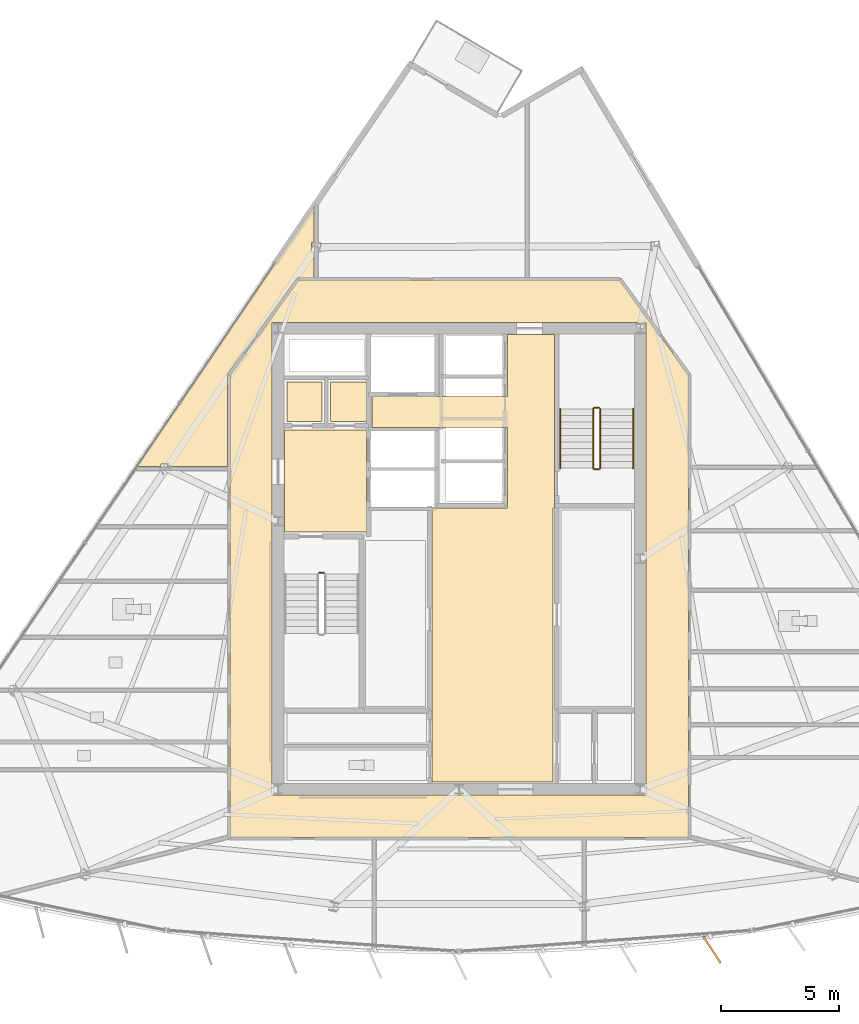
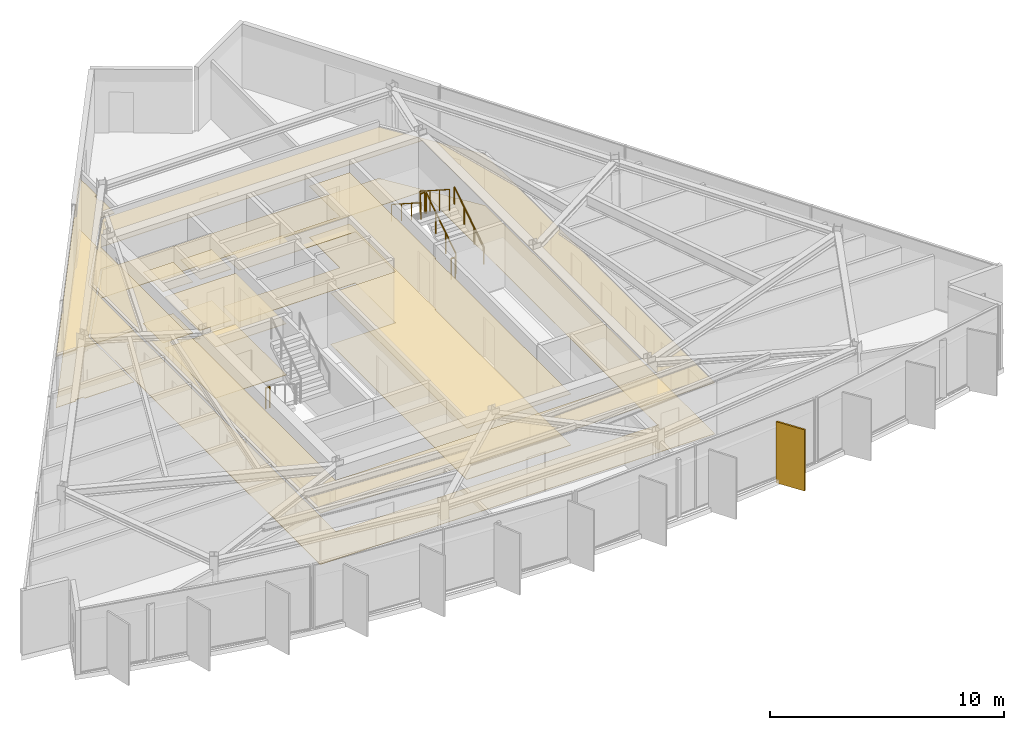
# One storey, part 11 of 13: 12 coverings, 7 railings, 1 shading device.
"""IFC4 building model written with IfcOpenShell, lengths in metres."""

from ifc_helpers import new_model, si_unit, direction, frame, origin, origin_2d, place, context, subcontext, project, spatial, polyline, rectangle, circle, outline, extrude, material, layer, layer_set, type_object, element, save


model = new_model("IFC4")

# Units and contexts
model_context = context("Model", 3, precision=1e-05, world=origin(), true_north=direction((0.0, 1.0)))
body_context = subcontext(model_context, "Body", "Model", "MODEL_VIEW")
ifc_project = project(units=[si_unit("LENGTHUNIT", "METRE"), si_unit("AREAUNIT", "SQUARE_METRE"), si_unit("VOLUMEUNIT", "CUBIC_METRE"), si_unit("PLANEANGLEUNIT", "RADIAN"), si_unit("MASSUNIT", "GRAM", prefix="KILO")], contexts=[model_context])

# Site, building, storey
site_placement = place(None, origin())
site = spatial("IfcSite", under=ifc_project, at=site_placement, CompositionType="ELEMENT")
building_placement = place(site_placement, origin())
building = spatial("IfcBuilding", under=site, at=building_placement, Name="Savorim Split Tower", CompositionType="ELEMENT")
storey_placement = place(building_placement, frame((0.0, 0.0, 250.800048828125)))
storey = spatial("IfcBuildingStorey", under=building, at=storey_placement, Name="L66", CompositionType="ELEMENT", Elevation=250.800048828125)

# Coverings
ifc_material_1 = material(Name="Mineral Fibre Acoustic Ceiling")
ifc_layer_1 = layer(ifc_material_1, 0.02490234375)
ifc_layer_set_1 = layer_set([ifc_layer_1], Name="COV-CEIL-25")
covering_type_1 = type_object("IfcCoveringType", Name="COV-CEIL-25", PredefinedType="CEILING", material=ifc_layer_set_1)
covering_1_placement = place(storey_placement, frame((0.0, 0.0, 2.669921875)))
element("IfcCovering", 1, at=covering_1_placement, inside=storey, type_object=covering_type_1, Name="L66 Firefighting Lift Lobby Acoustic Ceiling", PredefinedType="CEILING", context=body_context, shape_type="SweptSolid", body=[
    extrude(outline(polyline([(-7.429931640625, 5.8701171875), (-7.429931640625, 1.530029296875), (-3.929931640625, 1.530029296875), (-3.929931640625, 5.8701171875), (-7.429931640625, 5.8701171875)])), origin(), (0.0, 0.0, 1.0), 0.025146484375),
])
covering_2_placement = place(storey_placement, frame((0.0, 0.0, 2.669921875)))
element("IfcCovering", 2, at=covering_2_placement, inside=storey, type_object=covering_type_1, Name="L66 Electrical Riser Acoustic Ceiling", PredefinedType="CEILING", context=body_context, shape_type="SweptSolid", body=[
    extrude(outline(polyline([(-7.320068359375, 7.919921875), (-7.320068359375, 6.22998046875), (-5.830078125, 6.22998046875), (-5.830078125, 7.919921875), (-7.320068359375, 7.919921875)])), origin(), (0.0, 0.0, 1.0), 0.025146484375),
])
covering_3_placement = place(storey_placement, frame((0.0, 0.0, 2.669921875)))
element("IfcCovering", 3, at=covering_3_placement, inside=storey, type_object=covering_type_1, Name="L66 Telecom Riser Acoustic Ceiling", PredefinedType="CEILING", context=body_context, shape_type="SweptSolid", body=[
    extrude(outline(polyline([(-5.469970703125, 7.919921875), (-5.469970703125, 6.22998046875), (-3.929931640625, 6.22998046875), (-3.929931640625, 7.919921875), (-5.469970703125, 7.919921875)])), origin(), (0.0, 0.0, 1.0), 0.025146484375),
])
covering_4_placement = place(storey_placement, frame((0.0, 0.0, 2.669921875)))
element("IfcCovering", 4, at=covering_4_placement, inside=storey, type_object=covering_type_1, Name="L66 Lift Lobby Acoustic Ceiling", PredefinedType="CEILING", context=body_context, shape_type="SweptSolid", body=[
    extrude(outline(polyline([(2.050048828125, 2.550048828125), (-1.14990234375, 2.550048828125), (-1.14990234375, -9.10009765625), (4.0, -9.10009765625), (4.0, 2.550048828125), (4.050048828125, 2.550048828125), (4.050048828125, 5.97998046875), (4.050048828125, 7.300048828125), (4.050048828125, 9.929931640625), (2.050048828125, 9.929931640625), (2.050048828125, 7.300048828125), (-3.699951171875, 7.300048828125), (-3.699951171875, 5.97998046875), (2.050048828125, 5.97998046875), (2.050048828125, 2.550048828125)])), origin(), (0.0, 0.0, 1.0), 0.025146484375),
])
covering_5_placement = place(storey_placement, frame((0.0, 0.0, 2.669921875)))
element("IfcCovering", 5, at=covering_5_placement, inside=storey, type_object=covering_type_1, Name="L66 Corridor Acoustic Ceiling", PredefinedType="CEILING", context=body_context, shape_type="SweptSolid", body=[
    extrude(outline(polyline([(6.809326171875, 12.2490234375), (6.8046875, 12.249755859375), (6.800048828125, 12.25), (-6.800048828125, 12.25), (-6.8046875, 12.249755859375), (-6.809326171875, 12.2490234375), (-6.81396484375, 12.248046875), (-6.818359375, 12.24658203125), (-6.82275390625, 12.244384765625), (-6.826904296875, 12.2421875), (-6.830810546875, 12.239501953125), (-6.834228515625, 12.236328125), (-6.83740234375, 12.23291015625), (-6.840576171875, 12.229248046875), (-9.740478515625, 8.229248046875), (-9.743408203125, 8.22509765625), (-9.74560546875, 8.22021484375), (-9.74755859375, 8.21533203125), (-9.748779296875, 8.21044921875), (-9.749755859375, 8.205078125), (-9.75, 8.199951171875), (-9.75, -11.39990234375), (-9.749755859375, -11.40478515625), (-9.7490234375, -11.409912109375), (-9.747802734375, -11.41455078125), (-9.74609375, -11.419189453125), (-9.744140625, -11.423583984375), (-9.74169921875, -11.427734375), (-9.73876953125, -11.431640625), (-9.7353515625, -11.435302734375), (-9.731689453125, -11.438720703125), (-9.727783203125, -11.441650390625), (-9.7236328125, -11.444091796875), (-9.718994140625, -11.4462890625), (-9.714599609375, -11.44775390625), (-9.709716796875, -11.448974609375), (-9.704833984375, -11.44970703125), (-9.699951171875, -11.449951171875), (9.699951171875, -11.449951171875), (9.704833984375, -11.44970703125), (9.709716796875, -11.448974609375), (9.714599609375, -11.44775390625), (9.718994140625, -11.4462890625), (9.7236328125, -11.444091796875), (9.727783203125, -11.441650390625), (9.731689453125, -11.438720703125), (9.7353515625, -11.435302734375), (9.73876953125, -11.431640625), (9.74169921875, -11.427734375), (9.744140625, -11.423583984375), (9.74609375, -11.419189453125), (9.747802734375, -11.41455078125), (9.7490234375, -11.409912109375), (9.749755859375, -11.40478515625), (9.75, -11.39990234375), (9.75, 8.199951171875), (9.749755859375, 8.205078125), (9.748779296875, 8.21044921875), (9.74755859375, 8.21533203125), (9.74560546875, 8.22021484375), (9.743408203125, 8.22509765625), (9.740478515625, 8.229248046875), (6.840576171875, 12.229248046875), (6.83740234375, 12.23291015625), (6.834228515625, 12.236328125), (6.830810546875, 12.239501953125), (6.826904296875, 12.2421875), (6.82275390625, 12.244384765625), (6.818359375, 12.24658203125), (6.81396484375, 12.248046875), (6.809326171875, 12.2490234375)]), holes=[polyline([(-7.949951171875, 10.449951171875), (-7.949951171875, -9.64990234375), (7.949951171875, -9.64990234375), (7.949951171875, 10.449951171875), (-7.949951171875, 10.449951171875)])]), origin(), (0.0, 0.0, 1.0), 0.025146484375),
])
covering_6_placement = place(storey_placement, frame((0.0, 0.0, 2.669921875)))
element("IfcCovering", 6, at=covering_6_placement, inside=storey, type_object=covering_type_1, Name="L66 Co-Living Bedroom Acoustic Ceiling", PredefinedType="CEILING", context=body_context, shape_type="SweptSolid", body=[
    extrude(outline(polyline([(-6.813232421875, 12.33935546875), (-6.800048828125, 12.340087890625), (-6.16943359375, 12.340087890625), (-6.16943359375, 13.45166015625), (-6.271484375, 13.45166015625), (-6.271484375, 13.843505859375), (-6.16943359375, 13.843505859375), (-6.16943359375, 15.392578125), (-13.697265625, 4.326904296875), (-12.6767578125, 4.326904296875), (-12.6767578125, 4.427978515625), (-12.28271484375, 4.427978515625), (-12.28271484375, 4.326904296875), (-9.840087890625, 4.326904296875), (-9.840087890625, 8.199951171875), (-9.839111328125, 8.214599609375), (-9.8369140625, 8.22900390625), (-9.833251953125, 8.2431640625), (-9.827880859375, 8.2568359375), (-9.8212890625, 8.27001953125), (-9.813232421875, 8.2822265625), (-6.913330078125, 12.2822265625), (-6.905029296875, 12.29248046875), (-6.89599609375, 12.302001953125), (-6.885986328125, 12.310546875), (-6.875, 12.318115234375), (-6.863525390625, 12.32470703125), (-6.8515625, 12.330078125), (-6.839111328125, 12.33447265625), (-6.826416015625, 12.33740234375), (-6.813232421875, 12.33935546875)])), origin(), (0.0, 0.0, 1.0), 0.025146484375),
])
ifc_material_2 = material(Name="Porcelain Stoneware Flooring", Category="masonry")
ifc_layer_2 = layer(ifc_material_2, 0.02001953125)
ifc_layer_set_2 = layer_set([ifc_layer_2], Name="COV-FLOR-20")
covering_type_2 = type_object("IfcCoveringType", Name="COV-FLOR-20", PredefinedType="FLOORING", material=ifc_layer_set_2)
covering_7_placement = place(storey_placement, origin())
element("IfcCovering", 7, at=covering_7_placement, inside=storey, type_object=covering_type_2, Name="L66 Firefighting Lift Lobby Porcelain Flooring", PredefinedType="FLOORING", context=body_context, shape_type="SweptSolid", body=[
    extrude(outline(polyline([(-7.429931640625, 5.8701171875), (-7.429931640625, 1.530029296875), (-3.929931640625, 1.530029296875), (-3.929931640625, 5.8701171875), (-7.429931640625, 5.8701171875)])), origin(), (0.0, 0.0, 1.0), 0.02001953125),
])
covering_8_placement = place(storey_placement, origin())
element("IfcCovering", 8, at=covering_8_placement, inside=storey, type_object=covering_type_2, Name="L66 Electrical Riser Porcelain Flooring", PredefinedType="FLOORING", context=body_context, shape_type="SweptSolid", body=[
    extrude(outline(polyline([(-7.320068359375, 7.919921875), (-7.320068359375, 6.22998046875), (-5.830078125, 6.22998046875), (-5.830078125, 7.919921875), (-7.320068359375, 7.919921875)])), origin(), (0.0, 0.0, 1.0), 0.02001953125),
])
covering_9_placement = place(storey_placement, origin())
element("IfcCovering", 9, at=covering_9_placement, inside=storey, type_object=covering_type_2, Name="L66 Telecom Riser Porcelain Flooring", PredefinedType="FLOORING", context=body_context, shape_type="SweptSolid", body=[
    extrude(outline(polyline([(-5.469970703125, 7.919921875), (-5.469970703125, 6.22998046875), (-3.929931640625, 6.22998046875), (-3.929931640625, 7.919921875), (-5.469970703125, 7.919921875)])), origin(), (0.0, 0.0, 1.0), 0.02001953125),
])
covering_10_placement = place(storey_placement, origin())
element("IfcCovering", 10, at=covering_10_placement, inside=storey, type_object=covering_type_2, Name="L66 Lift Lobby Porcelain Flooring", PredefinedType="FLOORING", context=body_context, shape_type="SweptSolid", body=[
    extrude(outline(polyline([(2.050048828125, 2.550048828125), (-1.14990234375, 2.550048828125), (-1.14990234375, -9.10009765625), (4.0, -9.10009765625), (4.0, 2.550048828125), (4.050048828125, 2.550048828125), (4.050048828125, 5.97998046875), (4.050048828125, 7.300048828125), (4.050048828125, 9.929931640625), (2.050048828125, 9.929931640625), (2.050048828125, 7.300048828125), (-3.699951171875, 7.300048828125), (-3.699951171875, 5.97998046875), (2.050048828125, 5.97998046875), (2.050048828125, 2.550048828125)])), origin(), (0.0, 0.0, 1.0), 0.02001953125),
])
covering_11_placement = place(storey_placement, origin())
element("IfcCovering", 11, at=covering_11_placement, inside=storey, type_object=covering_type_2, Name="L66 Corridor Porcelain Flooring", PredefinedType="FLOORING", context=body_context, shape_type="SweptSolid", body=[
    extrude(outline(polyline([(6.809326171875, 12.2490234375), (6.8046875, 12.249755859375), (6.800048828125, 12.25), (-6.800048828125, 12.25), (-6.8046875, 12.249755859375), (-6.809326171875, 12.2490234375), (-6.81396484375, 12.248046875), (-6.818359375, 12.24658203125), (-6.82275390625, 12.244384765625), (-6.826904296875, 12.2421875), (-6.830810546875, 12.239501953125), (-6.834228515625, 12.236328125), (-6.83740234375, 12.23291015625), (-6.840576171875, 12.229248046875), (-9.740478515625, 8.229248046875), (-9.743408203125, 8.22509765625), (-9.74560546875, 8.22021484375), (-9.74755859375, 8.21533203125), (-9.748779296875, 8.21044921875), (-9.749755859375, 8.205078125), (-9.75, 8.199951171875), (-9.75, -11.39990234375), (-9.749755859375, -11.40478515625), (-9.7490234375, -11.409912109375), (-9.747802734375, -11.41455078125), (-9.74609375, -11.419189453125), (-9.744140625, -11.423583984375), (-9.74169921875, -11.427734375), (-9.73876953125, -11.431640625), (-9.7353515625, -11.435302734375), (-9.731689453125, -11.438720703125), (-9.727783203125, -11.441650390625), (-9.7236328125, -11.444091796875), (-9.718994140625, -11.4462890625), (-9.714599609375, -11.44775390625), (-9.709716796875, -11.448974609375), (-9.704833984375, -11.44970703125), (-9.699951171875, -11.449951171875), (9.699951171875, -11.449951171875), (9.704833984375, -11.44970703125), (9.709716796875, -11.448974609375), (9.714599609375, -11.44775390625), (9.718994140625, -11.4462890625), (9.7236328125, -11.444091796875), (9.727783203125, -11.441650390625), (9.731689453125, -11.438720703125), (9.7353515625, -11.435302734375), (9.73876953125, -11.431640625), (9.74169921875, -11.427734375), (9.744140625, -11.423583984375), (9.74609375, -11.419189453125), (9.747802734375, -11.41455078125), (9.7490234375, -11.409912109375), (9.749755859375, -11.40478515625), (9.75, -11.39990234375), (9.75, 8.199951171875), (9.749755859375, 8.205078125), (9.748779296875, 8.21044921875), (9.74755859375, 8.21533203125), (9.74560546875, 8.22021484375), (9.743408203125, 8.22509765625), (9.740478515625, 8.229248046875), (6.840576171875, 12.229248046875), (6.83740234375, 12.23291015625), (6.834228515625, 12.236328125), (6.830810546875, 12.239501953125), (6.826904296875, 12.2421875), (6.82275390625, 12.244384765625), (6.818359375, 12.24658203125), (6.81396484375, 12.248046875), (6.809326171875, 12.2490234375)]), holes=[polyline([(-7.949951171875, 10.449951171875), (-7.949951171875, -9.64990234375), (7.949951171875, -9.64990234375), (7.949951171875, 10.449951171875), (-7.949951171875, 10.449951171875)])]), origin(), (0.0, 0.0, 1.0), 0.02001953125),
])
covering_12_placement = place(storey_placement, origin())
element("IfcCovering", 12, at=covering_12_placement, inside=storey, type_object=covering_type_2, Name="L66 Co-Living Bedroom Porcelain Flooring", PredefinedType="FLOORING", context=body_context, shape_type="SweptSolid", body=[
    extrude(outline(polyline([(-6.813232421875, 12.33935546875), (-6.800048828125, 12.340087890625), (-6.16943359375, 12.340087890625), (-6.16943359375, 13.45166015625), (-6.271484375, 13.45166015625), (-6.271484375, 13.843505859375), (-6.16943359375, 13.843505859375), (-6.16943359375, 15.392578125), (-13.697265625, 4.326904296875), (-12.6767578125, 4.326904296875), (-12.6767578125, 4.427978515625), (-12.28271484375, 4.427978515625), (-12.28271484375, 4.326904296875), (-9.840087890625, 4.326904296875), (-9.840087890625, 8.199951171875), (-9.839111328125, 8.214599609375), (-9.8369140625, 8.22900390625), (-9.833251953125, 8.2431640625), (-9.827880859375, 8.2568359375), (-9.8212890625, 8.27001953125), (-9.813232421875, 8.2822265625), (-6.913330078125, 12.2822265625), (-6.905029296875, 12.29248046875), (-6.89599609375, 12.302001953125), (-6.885986328125, 12.310546875), (-6.875, 12.318115234375), (-6.863525390625, 12.32470703125), (-6.8515625, 12.330078125), (-6.839111328125, 12.33447265625), (-6.826416015625, 12.33740234375), (-6.813232421875, 12.33935546875)])), origin(), (0.0, 0.0, 1.0), 0.02001953125),
])

# Railings
ifc_material_3 = material(Name="Galvanised Painted Steel Balustrade", Category="steel")
railing_type_1 = type_object("IfcRailingType", Name="RLG-HR-900", PredefinedType="HANDRAIL", material=ifc_material_3)
railing_1_placement = place(storey_placement, frame((7.39990234375, 4.25, 0.179931640625)))
element("IfcRailing", 13, at=railing_1_placement, inside=storey, type_object=railing_type_1, Name="L66 ST-2 stair handrail 1", PredefinedType="HANDRAIL", context=body_context, shape_type="SweptSolid", body=[
    extrude(circle(Radius=0.02392578125, at=origin_2d()), frame((0.0, 0.0, 0.8759765625), z_axis=(0.0, 0.841162588446, 0.540782303519), x_axis=(-1.0, 0.0, 0.0)), (0.0, 0.0, 1.0), 2.995849609375),
    extrude(circle(Radius=0.02099609375, at=origin_2d()), origin(), (0.0, 0.0, 1.0), 0.851806640625),
    extrude(circle(Radius=0.02099609375, at=origin_2d()), frame((0.0, 0.840087890625, 0.5400390625)), (0.0, 0.0, 1.0), 0.851806640625),
    extrude(circle(Radius=0.02099609375, at=origin_2d()), frame((0.0, 1.679931640625, 1.080078125)), (0.0, 0.0, 1.0), 0.851806640625),
    extrude(circle(Radius=0.02099609375, at=origin_2d()), frame((0.0, 2.52001953125, 1.6201171875)), (0.0, 0.0, 1.0), 0.851806640625),
])
railing_2_placement = place(storey_placement, frame((4.300048828125, 6.77001953125, 1.97998046875)))
element("IfcRailing", 14, at=railing_2_placement, inside=storey, type_object=railing_type_1, Name="L66 ST-2 stair handrail 2", PredefinedType="HANDRAIL", context=body_context, shape_type="SweptSolid", body=[
    extrude(circle(Radius=0.02392578125, at=origin_2d()), frame((0.0, 0.0, 0.8759765625), z_axis=(0.0, -0.841199657755, 0.540724639528), x_axis=(1.0, 0.0, 0.0)), (0.0, 0.0, 1.0), 2.995849609375),
    extrude(circle(Radius=0.02099609375, at=origin_2d()), origin(), (0.0, 0.0, 1.0), 0.851806640625),
    extrude(circle(Radius=0.02099609375, at=origin_2d()), frame((0.0, -0.840087890625, 0.5400390625)), (0.0, 0.0, 1.0), 0.851806640625),
    extrude(circle(Radius=0.02099609375, at=origin_2d()), frame((0.0, -1.679931640625, 1.079833984375)), (0.0, 0.0, 1.0), 0.851806640625),
    extrude(circle(Radius=0.02099609375, at=origin_2d()), frame((0.0, -2.52001953125, 1.619873046875)), (0.0, 0.0, 1.0), 0.851806640625),
])
railing_type_2 = type_object("IfcRailingType", Name="RLG-STG-1100", PredefinedType="BALUSTRADE", material=ifc_material_3)
railing_3_placement = place(storey_placement, frame((-5.949951171875, -0.199951171875, 0.0)))
element("IfcRailing", 15, at=railing_3_placement, inside=storey, type_object=railing_type_2, Name="L66 ST-1 stair guard 4", PredefinedType="BALUSTRADE", context=body_context, shape_type="SweptSolid", body=[
    extrude(circle(Radius=0.02392578125, at=origin_2d()), frame((0.0, 0.0, 1.076171875), z_axis=(1.0, 0.0, 0.0), x_axis=(0.0, 1.0, 0.0)), (0.0, 0.0, 1.0), 0.199951171875),
    extrude(circle(Radius=0.02099609375, at=origin_2d()), origin(), (0.0, 0.0, 1.0), 1.052001953125),
    extrude(circle(Radius=0.02099609375, at=origin_2d()), frame((0.199951171875, 0.0, 0.0)), (0.0, 0.0, 1.0), 1.052001953125),
])
railing_4_placement = place(storey_placement, frame((6.0, 4.25, 0.179931640625)))
element("IfcRailing", 16, at=railing_4_placement, inside=storey, type_object=railing_type_2, Name="L66 ST-2 stair guard 1", PredefinedType="BALUSTRADE", context=body_context, shape_type="SweptSolid", body=[
    extrude(circle(Radius=0.02392578125, at=origin_2d()), frame((0.0, 0.0, 1.076171875), z_axis=(0.0, 0.841162588446, 0.540782303519), x_axis=(-1.0, 0.0, 0.0)), (0.0, 0.0, 1.0), 2.995849609375),
    extrude(circle(Radius=0.02099609375, at=origin_2d()), origin(), (0.0, 0.0, 1.0), 1.052001953125),
    extrude(circle(Radius=0.02099609375, at=origin_2d()), frame((0.0, 0.840087890625, 0.5400390625)), (0.0, 0.0, 1.0), 1.052001953125),
    extrude(circle(Radius=0.02099609375, at=origin_2d()), frame((0.0, 1.679931640625, 1.080078125)), (0.0, 0.0, 1.0), 1.052001953125),
    extrude(circle(Radius=0.02099609375, at=origin_2d()), frame((0.0, 2.52001953125, 1.6201171875)), (0.0, 0.0, 1.0), 1.052001953125),
])
railing_5_placement = place(storey_placement, frame((5.949951171875, 6.820068359375, 1.800048828125)))
element("IfcRailing", 17, at=railing_5_placement, inside=storey, type_object=railing_type_2, Name="L66 ST-2 stair guard 2", PredefinedType="BALUSTRADE", context=body_context, shape_type="SweptSolid", body=[
    extrude(circle(Radius=0.02392578125, at=origin_2d()), frame((0.0, 0.0, 1.076171875), z_axis=(-1.0, 0.0, 0.0), x_axis=(0.0, -1.0, 0.0)), (0.0, 0.0, 1.0), 0.199951171875),
    extrude(circle(Radius=0.02099609375, at=origin_2d()), origin(), (0.0, 0.0, 1.0), 1.052001953125),
    extrude(circle(Radius=0.02099609375, at=origin_2d()), frame((-0.199951171875, 0.0, 0.0)), (0.0, 0.0, 1.0), 1.052001953125),
])
railing_6_placement = place(storey_placement, frame((5.699951171875, 6.77001953125, 1.97998046875)))
element("IfcRailing", 18, at=railing_6_placement, inside=storey, type_object=railing_type_2, Name="L66 ST-2 stair guard 3", PredefinedType="BALUSTRADE", context=body_context, shape_type="SweptSolid", body=[
    extrude(circle(Radius=0.02392578125, at=origin_2d()), frame((0.0, 0.0, 1.076171875), z_axis=(0.0, -0.841199657755, 0.540724639528), x_axis=(1.0, 0.0, 0.0)), (0.0, 0.0, 1.0), 2.995849609375),
    extrude(circle(Radius=0.02099609375, at=origin_2d()), origin(), (0.0, 0.0, 1.0), 1.052001953125),
    extrude(circle(Radius=0.02099609375, at=origin_2d()), frame((0.0, -0.840087890625, 0.5400390625)), (0.0, 0.0, 1.0), 1.052001953125),
    extrude(circle(Radius=0.02099609375, at=origin_2d()), frame((0.0, -1.679931640625, 1.079833984375)), (0.0, 0.0, 1.0), 1.052001953125),
    extrude(circle(Radius=0.02099609375, at=origin_2d()), frame((0.0, -2.52001953125, 1.619873046875)), (0.0, 0.0, 1.0), 1.052001953125),
])
railing_7_placement = place(storey_placement, frame((5.949951171875, 4.199951171875, 0.0)))
element("IfcRailing", 19, at=railing_7_placement, inside=storey, type_object=railing_type_2, Name="L66 ST-2 stair guard 4", PredefinedType="BALUSTRADE", context=body_context, shape_type="SweptSolid", body=[
    extrude(circle(Radius=0.02392578125, at=origin_2d()), frame((0.0, 0.0, 1.076171875), z_axis=(-1.0, 0.0, 0.0), x_axis=(0.0, -1.0, 0.0)), (0.0, 0.0, 1.0), 0.199951171875),
    extrude(circle(Radius=0.02099609375, at=origin_2d()), origin(), (0.0, 0.0, 1.0), 1.052001953125),
    extrude(circle(Radius=0.02099609375, at=origin_2d()), frame((-0.199951171875, 0.0, 0.0)), (0.0, 0.0, 1.0), 1.052001953125),
])

# Shading device
ifc_material_4 = material(Name="Terracotta Ceramic-Coated Aluminium Fin", Category="masonry")
shading_device_type = type_object("IfcShadingDeviceType", Name="SHD-FIN-1360", PredefinedType="USERDEFINED", material=ifc_material_4)
shading_device_placement = place(storey_placement, frame((10.748291015625, -16.218505859375, -0.2001953125), z_axis=(0.0, 0.0, 1.0), x_axis=(0.545148321708, -0.838339613366, 0.0)))
element("IfcShadingDevice", 20, at=shading_device_placement, inside=storey, type_object=shading_device_type, Name="L66 Sawtooth Shading Fin 10", ObjectType="FIN", PredefinedType="USERDEFINED", context=body_context, shape_type="SweptSolid", body=[
    extrude(rectangle(XDim=1.360107421875, YDim=0.080078125, at=origin_2d()), origin(), (0.0, 0.0, 1.0), 3.199951171875),
])

save(model, "model.ifc")
